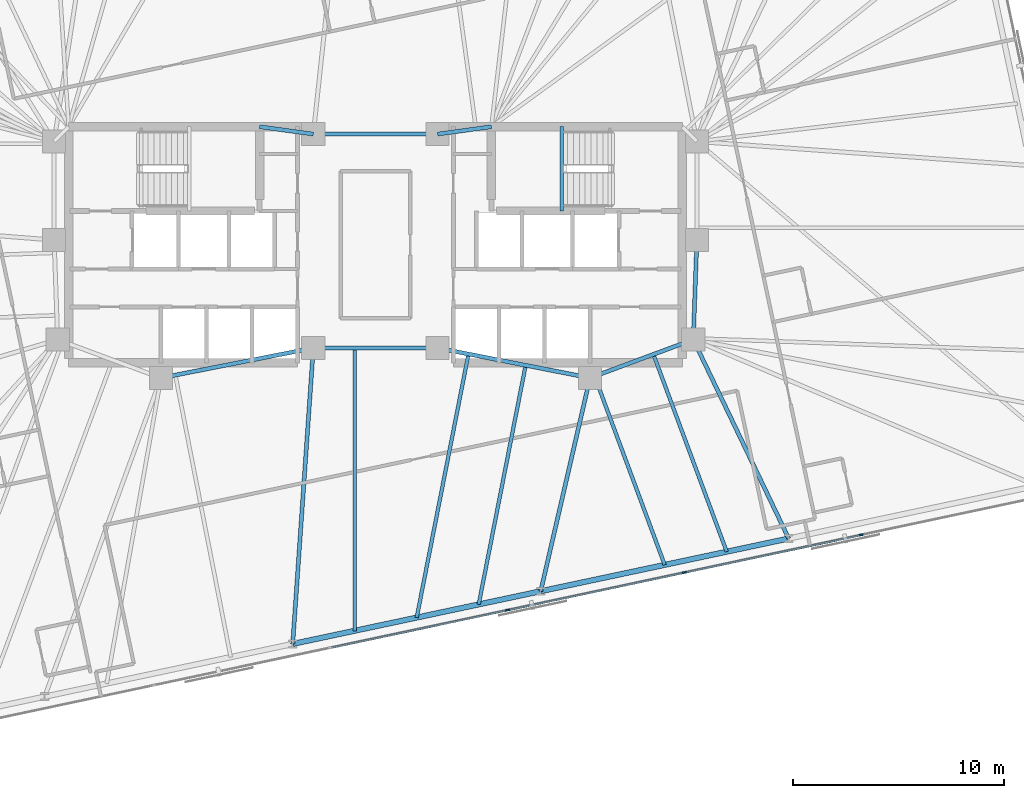
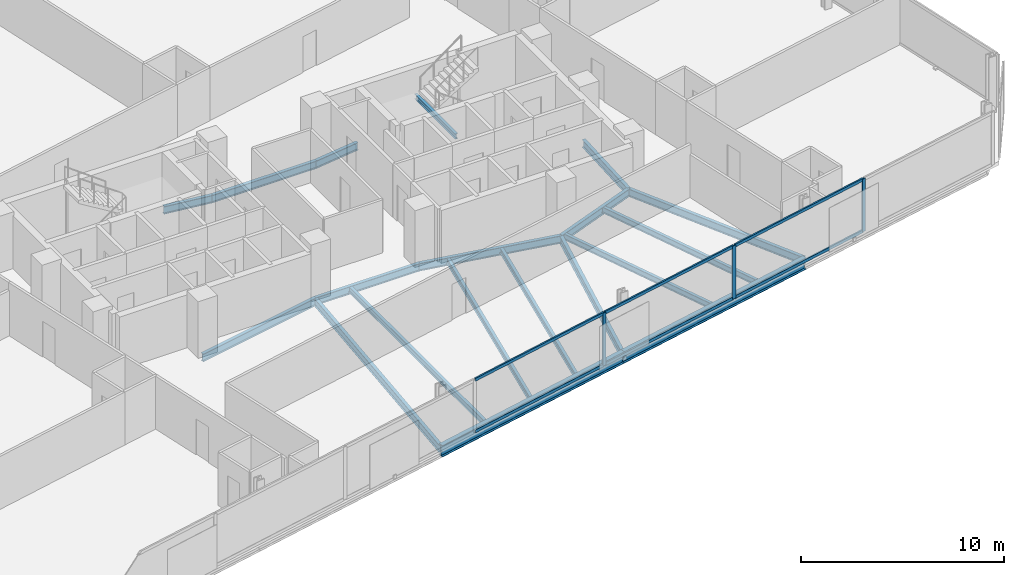
# One storey, part 7 of 19: 19 beams, 9 members, 1 element without a shape of its own.
"""IFC4 building model written with IfcOpenShell, lengths in metres."""

from ifc_helpers import new_model, si_unit, direction, frame, origin, origin_2d, place, context, subcontext, project, spatial, rectangle, i_section, extrude, material, material_profile, profile_set, type_object, element, aggregate, save


model = new_model("IFC4")

# Units and contexts
model_context = context("Model", 3, precision=1e-05, world=origin(), true_north=direction((0.0, 1.0)))
body_context = subcontext(model_context, "Body", "Model", "MODEL_VIEW")
ifc_project = project(units=[si_unit("LENGTHUNIT", "METRE"), si_unit("AREAUNIT", "SQUARE_METRE"), si_unit("VOLUMEUNIT", "CUBIC_METRE"), si_unit("PLANEANGLEUNIT", "RADIAN"), si_unit("MASSUNIT", "GRAM", prefix="KILO")], contexts=[model_context])

# Site, building, storey
site_placement = place(None, origin())
site = spatial("IfcSite", under=ifc_project, at=site_placement, CompositionType="ELEMENT")
building_placement = place(site_placement, origin())
building = spatial("IfcBuilding", under=site, at=building_placement, Name="Menara Jurai Vektor", CompositionType="ELEMENT")
storey_placement = place(building_placement, frame((0.0, 0.0, 171.800048828125)))
storey = spatial("IfcBuildingStorey", under=building, at=storey_placement, Name="L44", CompositionType="ELEMENT", Elevation=171.800048828125)

# Curtain wall, members
ifc_material_1 = material(Name="Anodised Pale Aluminium & Low-E Double Glazing", Category="aluminium")
curtain_wall_type = type_object("IfcCurtainWallType", Name="CW-BLK3", PredefinedType="NOTDEFINED", material=ifc_material_1)
curtain_wall_placement = place(storey_placement, origin())
curtain_wall = element("IfcCurtainWall", 1, at=curtain_wall_placement, inside=storey, type_object=curtain_wall_type, Name="Unitised Curtain Wall L44 F01", PredefinedType="NOTDEFINED")
ifc_material_2 = material(Name="Anodised Pale Aluminium Mullion", Category="aluminium")
ifc_material_profile_1 = material_profile(ifc_material_2, rectangle(XDim=0.0849609375, YDim=0.205078125, at=origin_2d()), Name="ALU MUL 85x205")
ifc_profile_set_1 = profile_set([ifc_material_profile_1], Name="Anodised Pale Aluminium Mullion")
member_type_1 = type_object("IfcMemberType", Name="CW-BLK3-MUL", PredefinedType="MULLION", material=ifc_profile_set_1)
member_1_placement = place(storey_placement, frame((6.264892578125, -17.338623046875, 0.0), z_axis=(0.0, 0.0, 1.0), x_axis=(-0.207911344156, 0.978147674419, 0.0)))
member_1 = element("IfcMember", 2, at=member_1_placement, type_object=member_type_1, Name="CW-03 mullion 5", PredefinedType="MULLION", context=body_context, shape_type="SweptSolid", body=[
    extrude(rectangle(XDim=0.0849609375, YDim=0.205078125, at=origin_2d()), origin(), (0.0, 0.0, 1.0), 3.175048828125),
])
member_2_placement = place(storey_placement, frame((14.65478515625, -15.55517578125, 0.0), z_axis=(0.0, 0.0, 1.0), x_axis=(-0.207911344156, 0.978147674419, 0.0)))
member_2 = element("IfcMember", 3, at=member_2_placement, type_object=member_type_1, Name="CW-03 mullion 6", PredefinedType="MULLION", context=body_context, shape_type="SweptSolid", body=[
    extrude(rectangle(XDim=0.0849609375, YDim=0.205078125, at=origin_2d()), origin(), (0.0, 0.0, 1.0), 3.175048828125),
])
member_3_placement = place(storey_placement, frame((23.04443359375, -13.77197265625, 0.0), z_axis=(0.0, 0.0, 1.0), x_axis=(-0.207911344156, 0.978147674419, 0.0)))
member_3 = element("IfcMember", 4, at=member_3_placement, type_object=member_type_1, Name="CW-03 mullion 7", PredefinedType="MULLION", context=body_context, shape_type="SweptSolid", body=[
    extrude(rectangle(XDim=0.0849609375, YDim=0.205078125, at=origin_2d()), origin(), (0.0, 0.0, 1.0), 3.175048828125),
])
ifc_material_3 = material(Name="Anodised Pale Aluminium Transom", Category="aluminium")
ifc_material_profile_2 = material_profile(ifc_material_3, rectangle(XDim=0.0849609375, YDim=0.175048828125, at=origin_2d()), Name="ALU TRN 85x175")
ifc_profile_set_2 = profile_set([ifc_material_profile_2], Name="Anodised Pale Aluminium Transom")
member_type_2 = type_object("IfcMemberType", Name="CW-BLK3-TRN", PredefinedType="USERDEFINED", material=ifc_profile_set_2)
member_4_placement = place(storey_placement, frame((-2.083251953125, -19.113037109375, 0.04248046875), z_axis=(0.978147743708, 0.207911018178, 0.0), x_axis=(-0.207911018178, 0.978147743708, 0.0)))
member_4 = element("IfcMember", 5, at=member_4_placement, type_object=member_type_2, Name="CW-03 transom 4.1", ObjectType="TRANSOM", PredefinedType="USERDEFINED", context=body_context, shape_type="SweptSolid", body=[
    extrude(rectangle(XDim=0.0849609375, YDim=0.175048828125, at=origin_2d()), origin(), (0.0, 0.0, 1.0), 8.4921875),
])
member_5_placement = place(storey_placement, frame((-2.083251953125, -19.113037109375, 3.132568359375), z_axis=(0.978147743708, 0.207911018178, 0.0), x_axis=(-0.207911018178, 0.978147743708, 0.0)))
member_5 = element("IfcMember", 6, at=member_5_placement, type_object=member_type_2, Name="CW-03 transom 4.2", ObjectType="TRANSOM", PredefinedType="USERDEFINED", context=body_context, shape_type="SweptSolid", body=[
    extrude(rectangle(XDim=0.0849609375, YDim=0.175048828125, at=origin_2d()), origin(), (0.0, 0.0, 1.0), 8.4921875),
])
member_6_placement = place(storey_placement, frame((6.306640625, -17.329833984375, 0.04248046875), z_axis=(0.978146500933, 0.207916864907, 0.0), x_axis=(-0.207916864907, 0.978146500933, 0.0)))
member_6 = element("IfcMember", 7, at=member_6_placement, type_object=member_type_2, Name="CW-03 transom 5.1", ObjectType="TRANSOM", PredefinedType="USERDEFINED", context=body_context, shape_type="SweptSolid", body=[
    extrude(rectangle(XDim=0.0849609375, YDim=0.175048828125, at=origin_2d()), origin(), (0.0, 0.0, 1.0), 8.491943359375),
])
member_7_placement = place(storey_placement, frame((6.306640625, -17.329833984375, 3.132568359375), z_axis=(0.978146500933, 0.207916864907, 0.0), x_axis=(-0.207916864907, 0.978146500933, 0.0)))
member_7 = element("IfcMember", 8, at=member_7_placement, type_object=member_type_2, Name="CW-03 transom 5.2", ObjectType="TRANSOM", PredefinedType="USERDEFINED", context=body_context, shape_type="SweptSolid", body=[
    extrude(rectangle(XDim=0.0849609375, YDim=0.175048828125, at=origin_2d()), origin(), (0.0, 0.0, 1.0), 8.491943359375),
])
member_8_placement = place(storey_placement, frame((14.6962890625, -15.54638671875, 0.04248046875), z_axis=(0.978147743708, 0.207911018178, 0.0), x_axis=(-0.207911018178, 0.978147743708, 0.0)))
member_8 = element("IfcMember", 9, at=member_8_placement, type_object=member_type_2, Name="CW-03 transom 6.1", ObjectType="TRANSOM", PredefinedType="USERDEFINED", context=body_context, shape_type="SweptSolid", body=[
    extrude(rectangle(XDim=0.0849609375, YDim=0.175048828125, at=origin_2d()), origin(), (0.0, 0.0, 1.0), 8.4921875),
])
member_9_placement = place(storey_placement, frame((14.6962890625, -15.54638671875, 3.132568359375), z_axis=(0.978147743708, 0.207911018178, 0.0), x_axis=(-0.207911018178, 0.978147743708, 0.0)))
member_9 = element("IfcMember", 10, at=member_9_placement, type_object=member_type_2, Name="CW-03 transom 6.2", ObjectType="TRANSOM", PredefinedType="USERDEFINED", context=body_context, shape_type="SweptSolid", body=[
    extrude(rectangle(XDim=0.0849609375, YDim=0.175048828125, at=origin_2d()), origin(), (0.0, 0.0, 1.0), 8.4921875),
])
aggregate(curtain_wall, [member_1, member_2, member_3, member_4, member_5, member_6, member_7, member_8, member_9])

# Beams
ifc_material_4 = material(Name="Steel S355", Category="steel")
ifc_material_profile_3 = material_profile(ifc_material_4, i_section(OverallWidth=0.19091796875, OverallDepth=0.4599609375, WebThickness=0.010009765625, FlangeThickness=0.01611328125, FilletRadius=0.010009765625, at=origin_2d()), Name="UKB 457x191x82")
ifc_profile_set_3 = profile_set([ifc_material_profile_3], Name="Steel S355")
beam_type_1 = type_object("IfcBeamType", Name="STR-BM-457", PredefinedType="BEAM", material=ifc_profile_set_3)
beam_1_placement = place(storey_placement, frame((-5.5, 5.60009765625, -0.455078125), z_axis=(0.990706818608, -0.136014703483, 0.0), x_axis=(0.136014703483, 0.990706818608, 0.0)))
element("IfcBeam", 11, at=beam_1_placement, inside=storey, type_object=beam_type_1, Name="Core Ring Header Girder L44-CHW-N2", PredefinedType="BEAM", context=body_context, shape_type="SweptSolid", body=[
    extrude(i_section(OverallWidth=0.19091796875, OverallDepth=0.4599609375, WebThickness=0.010009765625, FlangeThickness=0.01611328125, FilletRadius=0.010009765625, at=origin_2d()), origin(), (0.0, 0.0, 1.0), 2.573974609375),
])
beam_2_placement = place(storey_placement, frame((-10.179931640625, -6.320068359375, -0.455078125), z_axis=(0.981249044334, 0.192744164614, 0.0), x_axis=(-0.192744164614, 0.981249044334, 0.0)))
element("IfcBeam", 12, at=beam_2_placement, inside=storey, type_object=beam_type_1, Name="Core Ring Header Girder L44-CHW-S2", PredefinedType="BEAM", context=body_context, shape_type="SweptSolid", body=[
    extrude(i_section(OverallWidth=0.19091796875, OverallDepth=0.4599609375, WebThickness=0.010009765625, FlangeThickness=0.01611328125, FilletRadius=0.010009765625, at=origin_2d()), origin(), (0.0, 0.0, 1.0), 7.3681640625),
])
beam_3_placement = place(storey_placement, frame((2.949951171875, 5.25, -0.455078125), z_axis=(0.990706818608, 0.136014703483, 0.0), x_axis=(-0.136014703483, 0.990706818608, 0.0)))
element("IfcBeam", 13, at=beam_3_placement, inside=storey, type_object=beam_type_1, Name="Core Ring Header Girder L44-CHE-N1", PredefinedType="BEAM", context=body_context, shape_type="SweptSolid", body=[
    extrude(i_section(OverallWidth=0.19091796875, OverallDepth=0.4599609375, WebThickness=0.010009765625, FlangeThickness=0.01611328125, FilletRadius=0.010009765625, at=origin_2d()), origin(), (0.0, 0.0, 1.0), 2.573974609375),
])
beam_4_placement = place(storey_placement, frame((15.080078125, -4.5, -0.455078125), z_axis=(0.035977314146, 0.999352606874, 0.0), x_axis=(-0.999352606874, 0.035977314146, 0.0)))
element("IfcBeam", 14, at=beam_4_placement, inside=storey, type_object=beam_type_1, Name="Core Ring Header Girder L44-CHE-E2", PredefinedType="BEAM", context=body_context, shape_type="SweptSolid", body=[
    extrude(i_section(OverallWidth=0.19091796875, OverallDepth=0.4599609375, WebThickness=0.010009765625, FlangeThickness=0.01611328125, FilletRadius=0.010009765625, at=origin_2d()), origin(), (0.0, 0.0, 1.0), 4.72314453125),
])
beam_5_placement = place(storey_placement, frame((10.179931640625, -6.320068359375, -0.455078125), z_axis=(0.937424400887, 0.348188874925, 0.0), x_axis=(-0.348188874925, 0.937424400887, 0.0)))
element("IfcBeam", 15, at=beam_5_placement, inside=storey, type_object=beam_type_1, Name="Core Ring Header Girder L44-CHE-S1", PredefinedType="BEAM", context=body_context, shape_type="SweptSolid", body=[
    extrude(i_section(OverallWidth=0.19091796875, OverallDepth=0.4599609375, WebThickness=0.010009765625, FlangeThickness=0.01611328125, FilletRadius=0.010009765625, at=origin_2d()), origin(), (0.0, 0.0, 1.0), 5.227294921875),
])
beam_6_placement = place(storey_placement, frame((2.949951171875, -4.89990234375, -0.455078125), z_axis=(0.981249044334, -0.192744164614, 0.0), x_axis=(0.192744164614, 0.981249044334, 0.0)))
element("IfcBeam", 16, at=beam_6_placement, inside=storey, type_object=beam_type_1, Name="Core Ring Header Girder L44-CHE-S2", PredefinedType="BEAM", context=body_context, shape_type="SweptSolid", body=[
    extrude(i_section(OverallWidth=0.19091796875, OverallDepth=0.4599609375, WebThickness=0.010009765625, FlangeThickness=0.01611328125, FilletRadius=0.010009765625, at=origin_2d()), origin(), (0.0, 0.0, 1.0), 7.3681640625),
])
for number, where, z_axis, x_axis, name in (
    (17, (-2.949951171875, -4.89990234375, -0.455078125), (1.0, 0.0, 0.0), (0.0, 1.0, 0.0), "Core Ring Header Girder L44-CC-1"),
    (18, (-2.949951171875, 5.25, -0.455078125), (1.0, 0.0, 0.0), (0.0, 1.0, 0.0), "Core Ring Header Girder L44-CC-2"),
):
    element("IfcBeam", number, at=place(storey_placement, frame(where, z_axis=z_axis, x_axis=x_axis)), inside=storey, type_object=beam_type_1, Name=name, PredefinedType="BEAM", context=body_context, shape_type="SweptSolid", body=[
        extrude(i_section(OverallWidth=0.19091796875, OverallDepth=0.4599609375, WebThickness=0.010009765625, FlangeThickness=0.01611328125, FilletRadius=0.010009765625, at=origin_2d()), origin(), (0.0, 0.0, 1.0), 5.89990234375),
    ])
beam_7_placement = place(storey_placement, frame((-3.928466796875, -18.94287109375, -0.455078125), z_axis=(0.06951156523, 0.997581145722, 0.0), x_axis=(-0.997581145722, 0.06951156523, 0.0)))
element("IfcBeam", 19, at=beam_7_placement, inside=storey, type_object=beam_type_1, Name="Radial Floor Girder L44-S3", PredefinedType="BEAM", context=body_context, shape_type="SweptSolid", body=[
    extrude(i_section(OverallWidth=0.19091796875, OverallDepth=0.4599609375, WebThickness=0.010009765625, FlangeThickness=0.01611328125, FilletRadius=0.010009765625, at=origin_2d()), origin(), (0.0, 0.0, 1.0), 14.076904296875),
])
beam_8_placement = place(storey_placement, frame((7.83984375, -16.44140625, -0.455078125), z_axis=(0.225261124248, 0.974298427538, 0.0), x_axis=(-0.974298427538, 0.225261124248, 0.0)))
element("IfcBeam", 20, at=beam_8_placement, inside=storey, type_object=beam_type_1, Name="Radial Floor Girder L44-S4", PredefinedType="BEAM", context=body_context, shape_type="SweptSolid", body=[
    extrude(i_section(OverallWidth=0.19091796875, OverallDepth=0.4599609375, WebThickness=0.010009765625, FlangeThickness=0.01611328125, FilletRadius=0.010009765625, at=origin_2d()), origin(), (0.0, 0.0, 1.0), 10.388427734375),
])
beam_9_placement = place(storey_placement, frame((19.608154296875, -13.940185546875, -0.455078125), z_axis=(-0.432481646932, 0.901642736935, 0.0), x_axis=(-0.901642736935, -0.432481646932, 0.0)))
element("IfcBeam", 21, at=beam_9_placement, inside=storey, type_object=beam_type_1, Name="Radial Floor Girder L44-S5", PredefinedType="BEAM", context=body_context, shape_type="SweptSolid", body=[
    extrude(i_section(OverallWidth=0.19091796875, OverallDepth=0.4599609375, WebThickness=0.010009765625, FlangeThickness=0.01611328125, FilletRadius=0.010009765625, at=origin_2d()), origin(), (0.0, 0.0, 1.0), 10.469970703125),
])
ifc_material_profile_4 = material_profile(ifc_material_4, i_section(OverallWidth=0.172119140625, OverallDepth=0.35498046875, WebThickness=0.007080078125, FlangeThickness=0.011962890625, FilletRadius=0.010009765625, at=origin_2d()), Name="UKB 356x171x51")
ifc_profile_set_4 = profile_set([ifc_material_profile_4], Name="Steel S355")
beam_type_2 = type_object("IfcBeamType", Name="STR-JS-356", PredefinedType="JOIST", material=ifc_profile_set_4)
beam_10_placement = place(storey_placement, frame((-0.986328125, -18.3173828125, -0.402587890625), z_axis=(0.0, 1.0, 0.0), x_axis=(-1.0, 0.0, 0.0)))
element("IfcBeam", 22, at=beam_10_placement, inside=storey, type_object=beam_type_2, Name="Radial Secondary Floor Joist L44-JS05", PredefinedType="JOIST", context=body_context, shape_type="SweptSolid", body=[
    extrude(i_section(OverallWidth=0.172119140625, OverallDepth=0.35498046875, WebThickness=0.007080078125, FlangeThickness=0.011962890625, FilletRadius=0.010009765625, at=origin_2d()), origin(), (0.0, 0.0, 1.0), 13.41748046875),
])
beam_11_placement = place(storey_placement, frame((1.955810546875, -17.692138671875, -0.402587890625), z_axis=(0.192721917664, 0.981253413982, 0.0), x_axis=(-0.981253413982, 0.192721917664, 0.0)))
element("IfcBeam", 23, at=beam_11_placement, inside=storey, type_object=beam_type_2, Name="Radial Secondary Floor Joist L44-JS06", PredefinedType="JOIST", context=body_context, shape_type="SweptSolid", body=[
    extrude(i_section(OverallWidth=0.172119140625, OverallDepth=0.35498046875, WebThickness=0.007080078125, FlangeThickness=0.011962890625, FilletRadius=0.010009765625, at=origin_2d()), origin(), (0.0, 0.0, 1.0), 12.744140625),
])
beam_12_placement = place(storey_placement, frame((4.897705078125, -17.06689453125, -0.402587890625), z_axis=(0.19272061905, 0.981253669034, 0.0), x_axis=(-0.981253669034, 0.19272061905, 0.0)))
element("IfcBeam", 24, at=beam_12_placement, inside=storey, type_object=beam_type_2, Name="Radial Secondary Floor Joist L44-JS07", PredefinedType="JOIST", context=body_context, shape_type="SweptSolid", body=[
    extrude(i_section(OverallWidth=0.172119140625, OverallDepth=0.35498046875, WebThickness=0.007080078125, FlangeThickness=0.011962890625, FilletRadius=0.010009765625, at=origin_2d()), origin(), (0.0, 0.0, 1.0), 11.5634765625),
])
beam_13_placement = place(storey_placement, frame((13.72412109375, -15.19091796875, -0.402587890625), z_axis=(-0.348196799641, 0.93742145736, 0.0), x_axis=(-0.93742145736, -0.348196799641, 0.0)))
element("IfcBeam", 25, at=beam_13_placement, inside=storey, type_object=beam_type_2, Name="Radial Secondary Floor Joist L44-JS08", PredefinedType="JOIST", context=body_context, shape_type="SweptSolid", body=[
    extrude(i_section(OverallWidth=0.172119140625, OverallDepth=0.35498046875, WebThickness=0.007080078125, FlangeThickness=0.011962890625, FilletRadius=0.010009765625, at=origin_2d()), origin(), (0.0, 0.0, 1.0), 9.5498046875),
])
beam_14_placement = place(storey_placement, frame((16.666015625, -14.5654296875, -0.402587890625), z_axis=(-0.348180392292, 0.93742755156, 0.0), x_axis=(-0.93742755156, -0.348180392292, 0.0)))
element("IfcBeam", 26, at=beam_14_placement, inside=storey, type_object=beam_type_2, Name="Radial Secondary Floor Joist L44-JS09", PredefinedType="JOIST", context=body_context, shape_type="SweptSolid", body=[
    extrude(i_section(OverallWidth=0.172119140625, OverallDepth=0.35498046875, WebThickness=0.007080078125, FlangeThickness=0.011962890625, FilletRadius=0.010009765625, at=origin_2d()), origin(), (0.0, 0.0, 1.0), 9.98779296875),
])
ifc_material_profile_5 = material_profile(ifc_material_4, i_section(OverallWidth=0.1650390625, OverallDepth=0.302978515625, WebThickness=0.006103515625, FlangeThickness=0.010009765625, FilletRadius=0.009033203125, at=origin_2d()), Name="UKB 305x165x40")
ifc_profile_set_5 = profile_set([ifc_material_profile_5], Name="Steel S355")
beam_type_3 = type_object("IfcBeamType", Name="STR-LN-305", PredefinedType="LINTEL", material=ifc_profile_set_5)
beam_15_placement = place(storey_placement, frame((8.830078125, 1.60009765625, 1.348388671875), z_axis=(0.0, 1.0, 0.0), x_axis=(-1.0, 0.0, 0.0)))
element("IfcBeam", 27, at=beam_15_placement, inside=storey, type_object=beam_type_3, Name="Stair Half-Landing Nosing Trimmer ST2-1 L44", PredefinedType="LINTEL", context=body_context, shape_type="SweptSolid", body=[
    extrude(i_section(OverallWidth=0.1650390625, OverallDepth=0.302978515625, WebThickness=0.006103515625, FlangeThickness=0.010009765625, FilletRadius=0.009033203125, at=origin_2d()), origin(), (0.0, 0.0, 1.0), 4.0),
])
ifc_material_5 = material(Name="Steel S460", Category="steel")
ifc_material_profile_6 = material_profile(ifc_material_5, i_section(OverallWidth=0.256103515625, OverallDepth=0.693115234375, WebThickness=0.013916015625, FlangeThickness=0.02392578125, FilletRadius=0.014892578125, at=origin_2d()), Name="UKB 686x254x170")
ifc_profile_set_6 = profile_set([ifc_material_profile_6], Name="Steel S460")
beam_type_4 = type_object("IfcBeamType", Name="STR-SP-686", PredefinedType="SPANDREL", material=ifc_profile_set_6)
for number, where, z_axis, x_axis, name in (
    (28, (-3.928466796875, -18.94287109375, -0.571533203125), (0.978147039247, 0.207914332389, 0.0), (-0.207914332389, 0.978147039247, 0.0), "Exoskeleton Spandrel Beam L44-03"),
    (29, (7.83984375, -16.44140625, -0.571533203125), (0.978151165921, 0.207894917222, 0.0), (-0.207894917222, 0.978151165921, 0.0), "Exoskeleton Spandrel Beam L44-04"),
):
    element("IfcBeam", number, at=place(storey_placement, frame(where, z_axis=z_axis, x_axis=x_axis)), inside=storey, type_object=beam_type_4, Name=name, PredefinedType="SPANDREL", context=body_context, shape_type="SweptSolid", body=[
        extrude(i_section(OverallWidth=0.256103515625, OverallDepth=0.693115234375, WebThickness=0.013916015625, FlangeThickness=0.02392578125, FilletRadius=0.014892578125, at=origin_2d()), origin(), (0.0, 0.0, 1.0), 12.03125),
    ])

save(model, "model.ifc")
